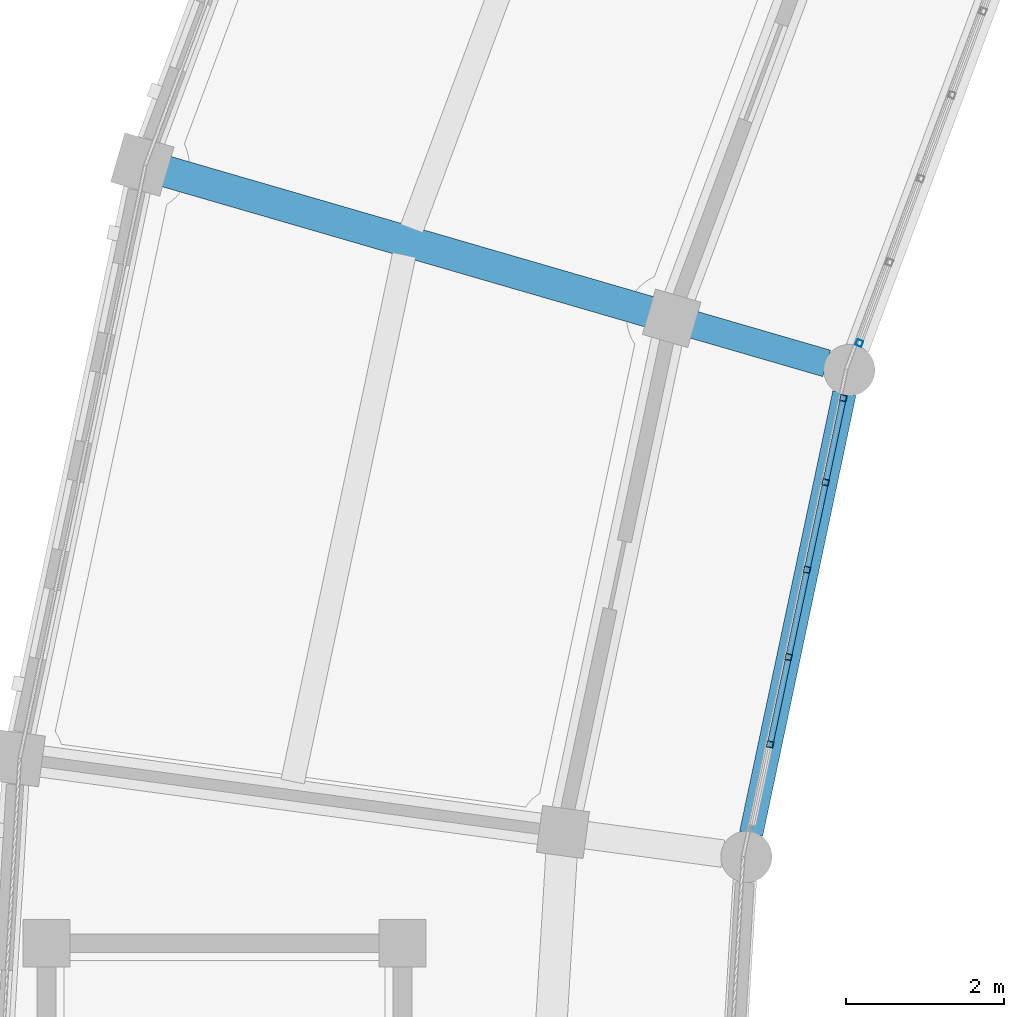
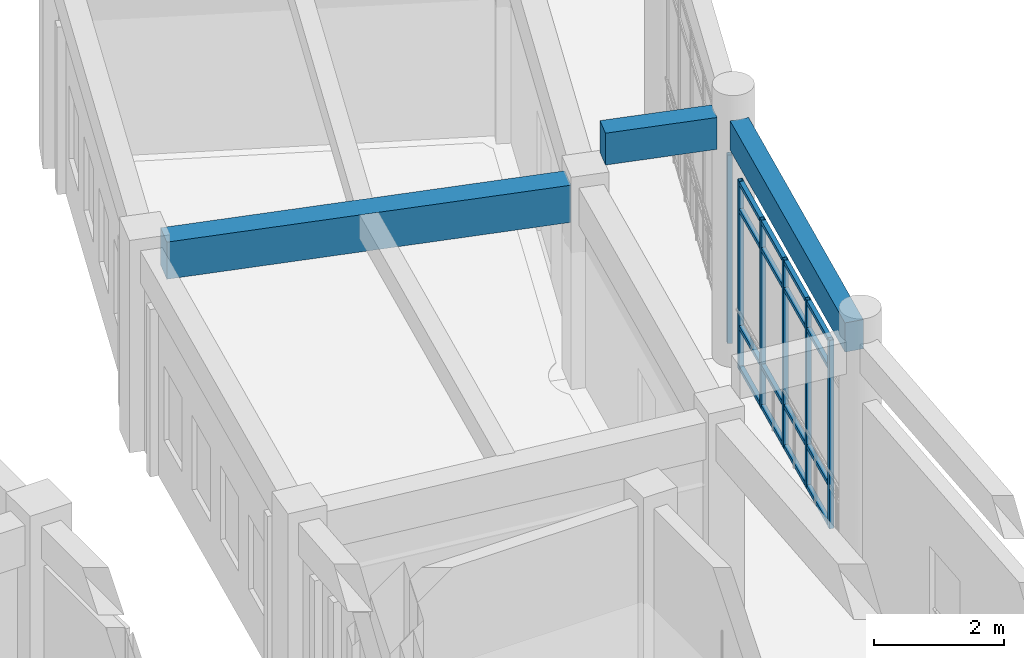
# One storey, part 58 of 159: 22 members, 3 beams, 2 elements without a shape of their own.
"""IFC4 building model written with IfcOpenShell, lengths in metres."""

from ifc_helpers import new_model, si_unit, direction, frame, origin, origin_2d, place, context, subcontext, project, spatial, rectangle, hollow_rectangle, extrude, material, material_profile, profile_set, type_object, element, aggregate, save


model = new_model("IFC4")

# Units and contexts
model_context = context("Model", 3, precision=1e-05, world=origin(), true_north=direction((0.0, 1.0)))
body_context = subcontext(model_context, "Body", "Model", "MODEL_VIEW")
ifc_project = project(units=[si_unit("LENGTHUNIT", "METRE"), si_unit("AREAUNIT", "SQUARE_METRE"), si_unit("VOLUMEUNIT", "CUBIC_METRE"), si_unit("PLANEANGLEUNIT", "RADIAN"), si_unit("MASSUNIT", "GRAM", prefix="KILO")], contexts=[model_context])

# Site, building, storey
site_placement = place(None, origin())
site = spatial("IfcSite", under=ifc_project, at=site_placement, CompositionType="ELEMENT")
building_placement = place(site_placement, origin())
building = spatial("IfcBuilding", under=site, at=building_placement, Name="Celadon Cloister-Ring School", CompositionType="ELEMENT")
storey_placement = place(building_placement, frame((0.0, 0.0, 4.5)))
storey = spatial("IfcBuildingStorey", under=building, at=storey_placement, Name="L01", CompositionType="ELEMENT", Elevation=4.5)

# Beam
ifc_material_1 = material(Name="Concrete C35/45", Category="concrete")
ifc_material_profile_1 = material_profile(ifc_material_1, rectangle(XDim=0.35009765625, YDim=0.60009765625, at=origin_2d()), Name="RC350X600")
ifc_profile_set_1 = profile_set([ifc_material_profile_1], Name="Concrete C35/45")
beam_type_1 = type_object("IfcBeamType", Name="BT-02", PredefinedType="BEAM", material=ifc_profile_set_1)
beam_1_placement = place(storey_placement, frame((44.051025390625, 71.47802734375, 4.35009765625), z_axis=(0.960278457091, -0.279043517836, 0.0), x_axis=(0.279043517836, 0.960278457091, 0.0)))
element("IfcBeam", 1, at=beam_1_placement, inside=storey, type_object=beam_type_1, Name="Beam 0210", PredefinedType="BEAM", context=body_context, shape_type="SweptSolid", body=[
    extrude(rectangle(XDim=0.35009765625, YDim=0.60009765625, at=origin_2d()), origin(), (0.0, 0.0, 1.0), 1.7744140625),
])

# Curtain wall, member
ifc_material_2 = material(Name="Aluminium EN AW-6063 T6", Category="aluminium")
curtain_wall_type = type_object("IfcCurtainWallType", Name="CW-01", PredefinedType="USERDEFINED", material=ifc_material_2)
curtain_wall_1_placement = place(storey_placement, origin())
curtain_wall_1 = element("IfcCurtainWall", 2, at=curtain_wall_1_placement, inside=storey, type_object=curtain_wall_type, Name="Curtain Wall 0023", ObjectType="CURTAIN WALL", PredefinedType="USERDEFINED")
ifc_material_3 = material(Name="Aluminium EN AW-6063 T6", Category="aluminium")
ifc_material_profile_2 = material_profile(ifc_material_3, hollow_rectangle(XDim=0.080078125, YDim=0.080078125, WallThickness=0.00390625, at=origin_2d()), Name="RHS80X80X4")
ifc_profile_set_2 = profile_set([ifc_material_profile_2], Name="Aluminium EN AW-6063 T6")
member_type_1 = type_object("IfcMemberType", Name="CM-03", PredefinedType="MULLION", material=ifc_profile_set_2)
member_1_placement = place(storey_placement, frame((46.1708984375, 71.240478515625, 0.0), z_axis=(0.0, 0.0, 1.0), x_axis=(0.937023262671, -0.349266954081, 0.0)))
member_1 = element("IfcMember", 3, at=member_1_placement, type_object=member_type_1, Name="CW-01 mullion 6", PredefinedType="MULLION", context=body_context, shape_type="SweptSolid", body=[
    extrude(hollow_rectangle(XDim=0.080078125, YDim=0.080078125, WallThickness=0.00390625, at=origin_2d()), origin(), (0.0, 0.0, 1.0), 3.550048828125),
])
aggregate(curtain_wall_1, [member_1])

# Curtain wall, members
curtain_wall_2_placement = place(storey_placement, origin())
curtain_wall_2 = element("IfcCurtainWall", 4, at=curtain_wall_2_placement, inside=storey, type_object=curtain_wall_type, Name="Curtain Wall 0024", ObjectType="CURTAIN WALL", PredefinedType="USERDEFINED")
member_2_placement = place(storey_placement, frame((45.9677734375, 70.541748046875, 0.0), z_axis=(0.0, 0.0, 1.0), x_axis=(0.978320844999, -0.207094964304, 0.0)))
member_2 = element("IfcMember", 5, at=member_2_placement, type_object=member_type_1, Name="CW-01 mullion 1", PredefinedType="MULLION", context=body_context, shape_type="SweptSolid", body=[
    extrude(hollow_rectangle(XDim=0.080078125, YDim=0.080078125, WallThickness=0.00390625, at=origin_2d()), origin(), (0.0, 0.0, 1.0), 3.550048828125),
])
member_3_placement = place(storey_placement, frame((45.7412109375, 69.4716796875, 0.0), z_axis=(0.0, 0.0, 1.0), x_axis=(0.978320844999, -0.207094964304, 0.0)))
member_3 = element("IfcMember", 6, at=member_3_placement, type_object=member_type_1, Name="CW-01 mullion 2", PredefinedType="MULLION", context=body_context, shape_type="SweptSolid", body=[
    extrude(hollow_rectangle(XDim=0.080078125, YDim=0.080078125, WallThickness=0.00390625, at=origin_2d()), origin(), (0.0, 0.0, 1.0), 3.550048828125),
])
member_4_placement = place(storey_placement, frame((45.50634765625, 68.362548828125, 0.0), z_axis=(0.0, 0.0, 1.0), x_axis=(0.978320844999, -0.207094964304, 0.0)))
member_4 = element("IfcMember", 7, at=member_4_placement, type_object=member_type_1, Name="CW-01 mullion 3", PredefinedType="MULLION", context=body_context, shape_type="SweptSolid", body=[
    extrude(hollow_rectangle(XDim=0.080078125, YDim=0.080078125, WallThickness=0.00390625, at=origin_2d()), origin(), (0.0, 0.0, 1.0), 3.550048828125),
])
member_5_placement = place(storey_placement, frame((45.271484375, 67.25341796875, 0.0), z_axis=(0.0, 0.0, 1.0), x_axis=(0.978320844999, -0.207094964304, 0.0)))
member_5 = element("IfcMember", 8, at=member_5_placement, type_object=member_type_1, Name="CW-01 mullion 4", PredefinedType="MULLION", context=body_context, shape_type="SweptSolid", body=[
    extrude(hollow_rectangle(XDim=0.080078125, YDim=0.080078125, WallThickness=0.00390625, at=origin_2d()), origin(), (0.0, 0.0, 1.0), 3.550048828125),
])
member_6_placement = place(storey_placement, frame((45.036865234375, 66.144287109375, 0.0), z_axis=(0.0, 0.0, 1.0), x_axis=(0.978320844999, -0.207094964304, 0.0)))
member_6 = element("IfcMember", 9, at=member_6_placement, type_object=member_type_1, Name="CW-01 mullion 5", PredefinedType="MULLION", context=body_context, shape_type="SweptSolid", body=[
    extrude(hollow_rectangle(XDim=0.080078125, YDim=0.080078125, WallThickness=0.00390625, at=origin_2d()), origin(), (0.0, 0.0, 1.0), 3.550048828125),
])
ifc_material_4 = material(Name="Aluminium EN AW-6063 T6", Category="aluminium")
ifc_material_profile_3 = material_profile(ifc_material_4, hollow_rectangle(XDim=0.074951171875, YDim=0.074951171875, WallThickness=0.00390625, at=origin_2d()), Name="RHS75X75X4")
ifc_profile_set_3 = profile_set([ifc_material_profile_3], Name="Aluminium EN AW-6063 T6")
member_type_2 = type_object("IfcMemberType", Name="CTM-03", PredefinedType="USERDEFINED", material=ifc_profile_set_3)
member_7_placement = place(storey_placement, frame((45.95947265625, 70.502685546875, 0.03759765625), z_axis=(-0.20712705188, -0.97831405202, 0.0), x_axis=(0.97831405202, -0.20712705188, 0.0)))
member_7 = element("IfcMember", 10, at=member_7_placement, type_object=member_type_2, Name="CW-01 transom 1.1", ObjectType="TRANSOM", PredefinedType="USERDEFINED", context=body_context, shape_type="SweptSolid", body=[
    extrude(hollow_rectangle(XDim=0.074951171875, YDim=0.074951171875, WallThickness=0.00390625, at=origin_2d()), origin(), (0.0, 0.0, 1.0), 1.013671875),
])
member_8_placement = place(storey_placement, frame((45.95947265625, 70.502685546875, 0.800048828125), z_axis=(-0.20712705188, -0.97831405202, 0.0), x_axis=(0.97831405202, -0.20712705188, 0.0)))
member_8 = element("IfcMember", 11, at=member_8_placement, type_object=member_type_2, Name="CW-01 transom 1.2", ObjectType="TRANSOM", PredefinedType="USERDEFINED", context=body_context, shape_type="SweptSolid", body=[
    extrude(hollow_rectangle(XDim=0.074951171875, YDim=0.074951171875, WallThickness=0.00390625, at=origin_2d()), origin(), (0.0, 0.0, 1.0), 1.013671875),
])
member_9_placement = place(storey_placement, frame((45.95947265625, 70.502685546875, 3.0), z_axis=(-0.20712705188, -0.97831405202, 0.0), x_axis=(0.97831405202, -0.20712705188, 0.0)))
member_9 = element("IfcMember", 12, at=member_9_placement, type_object=member_type_2, Name="CW-01 transom 1.3", ObjectType="TRANSOM", PredefinedType="USERDEFINED", context=body_context, shape_type="SweptSolid", body=[
    extrude(hollow_rectangle(XDim=0.074951171875, YDim=0.074951171875, WallThickness=0.00390625, at=origin_2d()), origin(), (0.0, 0.0, 1.0), 1.013671875),
])
member_10_placement = place(storey_placement, frame((45.95947265625, 70.502685546875, 3.512451171875), z_axis=(-0.20712705188, -0.97831405202, 0.0), x_axis=(0.97831405202, -0.20712705188, 0.0)))
member_10 = element("IfcMember", 13, at=member_10_placement, type_object=member_type_2, Name="CW-01 transom 1.4", ObjectType="TRANSOM", PredefinedType="USERDEFINED", context=body_context, shape_type="SweptSolid", body=[
    extrude(hollow_rectangle(XDim=0.074951171875, YDim=0.074951171875, WallThickness=0.00390625, at=origin_2d()), origin(), (0.0, 0.0, 1.0), 1.013671875),
])
member_11_placement = place(storey_placement, frame((45.73291015625, 69.4326171875, 0.03759765625), z_axis=(-0.207107837816, -0.978318119793, 0.0), x_axis=(0.978318119793, -0.207107837816, 0.0)))
member_11 = element("IfcMember", 14, at=member_11_placement, type_object=member_type_2, Name="CW-01 transom 2.1", ObjectType="TRANSOM", PredefinedType="USERDEFINED", context=body_context, shape_type="SweptSolid", body=[
    extrude(hollow_rectangle(XDim=0.074951171875, YDim=0.074951171875, WallThickness=0.00390625, at=origin_2d()), origin(), (0.0, 0.0, 1.0), 1.053955078125),
])
member_12_placement = place(storey_placement, frame((45.73291015625, 69.4326171875, 0.800048828125), z_axis=(-0.207107837816, -0.978318119793, 0.0), x_axis=(0.978318119793, -0.207107837816, 0.0)))
member_12 = element("IfcMember", 15, at=member_12_placement, type_object=member_type_2, Name="CW-01 transom 2.2", ObjectType="TRANSOM", PredefinedType="USERDEFINED", context=body_context, shape_type="SweptSolid", body=[
    extrude(hollow_rectangle(XDim=0.074951171875, YDim=0.074951171875, WallThickness=0.00390625, at=origin_2d()), origin(), (0.0, 0.0, 1.0), 1.053955078125),
])
member_13_placement = place(storey_placement, frame((45.73291015625, 69.4326171875, 3.0), z_axis=(-0.207107837816, -0.978318119793, 0.0), x_axis=(0.978318119793, -0.207107837816, 0.0)))
member_13 = element("IfcMember", 16, at=member_13_placement, type_object=member_type_2, Name="CW-01 transom 2.3", ObjectType="TRANSOM", PredefinedType="USERDEFINED", context=body_context, shape_type="SweptSolid", body=[
    extrude(hollow_rectangle(XDim=0.074951171875, YDim=0.074951171875, WallThickness=0.00390625, at=origin_2d()), origin(), (0.0, 0.0, 1.0), 1.053955078125),
])
member_14_placement = place(storey_placement, frame((45.73291015625, 69.4326171875, 3.512451171875), z_axis=(-0.207107837816, -0.978318119793, 0.0), x_axis=(0.978318119793, -0.207107837816, 0.0)))
member_14 = element("IfcMember", 17, at=member_14_placement, type_object=member_type_2, Name="CW-01 transom 2.4", ObjectType="TRANSOM", PredefinedType="USERDEFINED", context=body_context, shape_type="SweptSolid", body=[
    extrude(hollow_rectangle(XDim=0.074951171875, YDim=0.074951171875, WallThickness=0.00390625, at=origin_2d()), origin(), (0.0, 0.0, 1.0), 1.053955078125),
])
member_15_placement = place(storey_placement, frame((45.498046875, 68.323486328125, 0.03759765625), z_axis=(-0.207107837816, -0.978318119793, 0.0), x_axis=(0.978318119793, -0.207107837816, 0.0)))
member_15 = element("IfcMember", 18, at=member_15_placement, type_object=member_type_2, Name="CW-01 transom 3.1", ObjectType="TRANSOM", PredefinedType="USERDEFINED", context=body_context, shape_type="SweptSolid", body=[
    extrude(hollow_rectangle(XDim=0.074951171875, YDim=0.074951171875, WallThickness=0.00390625, at=origin_2d()), origin(), (0.0, 0.0, 1.0), 1.053955078125),
])
member_16_placement = place(storey_placement, frame((45.498046875, 68.323486328125, 0.800048828125), z_axis=(-0.207107837816, -0.978318119793, 0.0), x_axis=(0.978318119793, -0.207107837816, 0.0)))
member_16 = element("IfcMember", 19, at=member_16_placement, type_object=member_type_2, Name="CW-01 transom 3.2", ObjectType="TRANSOM", PredefinedType="USERDEFINED", context=body_context, shape_type="SweptSolid", body=[
    extrude(hollow_rectangle(XDim=0.074951171875, YDim=0.074951171875, WallThickness=0.00390625, at=origin_2d()), origin(), (0.0, 0.0, 1.0), 1.053955078125),
])
member_17_placement = place(storey_placement, frame((45.498046875, 68.323486328125, 3.0), z_axis=(-0.207107837816, -0.978318119793, 0.0), x_axis=(0.978318119793, -0.207107837816, 0.0)))
member_17 = element("IfcMember", 20, at=member_17_placement, type_object=member_type_2, Name="CW-01 transom 3.3", ObjectType="TRANSOM", PredefinedType="USERDEFINED", context=body_context, shape_type="SweptSolid", body=[
    extrude(hollow_rectangle(XDim=0.074951171875, YDim=0.074951171875, WallThickness=0.00390625, at=origin_2d()), origin(), (0.0, 0.0, 1.0), 1.053955078125),
])
member_18_placement = place(storey_placement, frame((45.498046875, 68.323486328125, 3.512451171875), z_axis=(-0.207107837816, -0.978318119793, 0.0), x_axis=(0.978318119793, -0.207107837816, 0.0)))
member_18 = element("IfcMember", 21, at=member_18_placement, type_object=member_type_2, Name="CW-01 transom 3.4", ObjectType="TRANSOM", PredefinedType="USERDEFINED", context=body_context, shape_type="SweptSolid", body=[
    extrude(hollow_rectangle(XDim=0.074951171875, YDim=0.074951171875, WallThickness=0.00390625, at=origin_2d()), origin(), (0.0, 0.0, 1.0), 1.053955078125),
])
member_19_placement = place(storey_placement, frame((45.263427734375, 67.21435546875, 0.03759765625), z_axis=(-0.207107837816, -0.978318119793, 0.0), x_axis=(0.978318119793, -0.207107837816, 0.0)))
member_19 = element("IfcMember", 22, at=member_19_placement, type_object=member_type_2, Name="CW-01 transom 4.1", ObjectType="TRANSOM", PredefinedType="USERDEFINED", context=body_context, shape_type="SweptSolid", body=[
    extrude(hollow_rectangle(XDim=0.074951171875, YDim=0.074951171875, WallThickness=0.00390625, at=origin_2d()), origin(), (0.0, 0.0, 1.0), 1.053955078125),
])
member_20_placement = place(storey_placement, frame((45.263427734375, 67.21435546875, 0.800048828125), z_axis=(-0.207107837816, -0.978318119793, 0.0), x_axis=(0.978318119793, -0.207107837816, 0.0)))
member_20 = element("IfcMember", 23, at=member_20_placement, type_object=member_type_2, Name="CW-01 transom 4.2", ObjectType="TRANSOM", PredefinedType="USERDEFINED", context=body_context, shape_type="SweptSolid", body=[
    extrude(hollow_rectangle(XDim=0.074951171875, YDim=0.074951171875, WallThickness=0.00390625, at=origin_2d()), origin(), (0.0, 0.0, 1.0), 1.053955078125),
])
member_21_placement = place(storey_placement, frame((45.263427734375, 67.21435546875, 3.0), z_axis=(-0.207107837816, -0.978318119793, 0.0), x_axis=(0.978318119793, -0.207107837816, 0.0)))
member_21 = element("IfcMember", 24, at=member_21_placement, type_object=member_type_2, Name="CW-01 transom 4.3", ObjectType="TRANSOM", PredefinedType="USERDEFINED", context=body_context, shape_type="SweptSolid", body=[
    extrude(hollow_rectangle(XDim=0.074951171875, YDim=0.074951171875, WallThickness=0.00390625, at=origin_2d()), origin(), (0.0, 0.0, 1.0), 1.053955078125),
])
member_22_placement = place(storey_placement, frame((45.263427734375, 67.21435546875, 3.512451171875), z_axis=(-0.207107837816, -0.978318119793, 0.0), x_axis=(0.978318119793, -0.207107837816, 0.0)))
member_22 = element("IfcMember", 25, at=member_22_placement, type_object=member_type_2, Name="CW-01 transom 4.4", ObjectType="TRANSOM", PredefinedType="USERDEFINED", context=body_context, shape_type="SweptSolid", body=[
    extrude(hollow_rectangle(XDim=0.074951171875, YDim=0.074951171875, WallThickness=0.00390625, at=origin_2d()), origin(), (0.0, 0.0, 1.0), 1.053955078125),
])
aggregate(curtain_wall_2, [member_2, member_3, member_4, member_5, member_6, member_7, member_8, member_9, member_10, member_11, member_12, member_13, member_14, member_15, member_16, member_17, member_18, member_19, member_20, member_21, member_22])

# Beams
ifc_material_5 = material(Name="Concrete C35/45", Category="concrete")
ifc_material_profile_4 = material_profile(ifc_material_5, rectangle(XDim=0.39990234375, YDim=0.699951171875, at=origin_2d()), Name="RC400X700")
ifc_profile_set_4 = profile_set([ifc_material_profile_4], Name="Concrete C35/45")
beam_type_2 = type_object("IfcBeamType", Name="GT-03", PredefinedType="USERDEFINED", material=ifc_profile_set_4)
beam_2_placement = place(storey_placement, frame((37.35302734375, 73.424072265625, 3.429931640625), z_axis=(0.960316025972, -0.278914198743, 0.0), x_axis=(0.278914198743, 0.960316025972, 0.0)))
element("IfcBeam", 26, at=beam_2_placement, inside=storey, type_object=beam_type_2, Name="Beam 0209", ObjectType="GIRDER", PredefinedType="USERDEFINED", context=body_context, shape_type="SweptSolid", body=[
    extrude(rectangle(XDim=0.39990234375, YDim=0.699951171875, at=origin_2d()), origin(), (0.0, 0.0, 1.0), 6.4248046875),
])
ifc_material_6 = material(Name="Concrete C35/45", Category="concrete")
ifc_material_profile_5 = material_profile(ifc_material_6, rectangle(XDim=0.300048828125, YDim=0.550048828125, at=origin_2d()), Name="RC300X550")
ifc_profile_set_5 = profile_set([ifc_material_profile_5], Name="Concrete C35/45")
beam_type_3 = type_object("IfcBeamType", Name="SP-02", PredefinedType="SPANDREL", material=ifc_profile_set_5)
beam_3_placement = place(storey_placement, frame((45.98095703125, 70.60498046875, 4.375), z_axis=(-0.207041113991, -0.978332242706, 0.0), x_axis=(0.978332242706, -0.207041113991, 0.0)))
element("IfcBeam", 27, at=beam_3_placement, inside=storey, type_object=beam_type_3, Name="Beam 0289", PredefinedType="SPANDREL", context=body_context, shape_type="SweptSolid", body=[
    extrude(rectangle(XDim=0.300048828125, YDim=0.550048828125, at=origin_2d()), origin(), (0.0, 0.0, 1.0), 5.7177734375),
])

save(model, "model.ifc")
